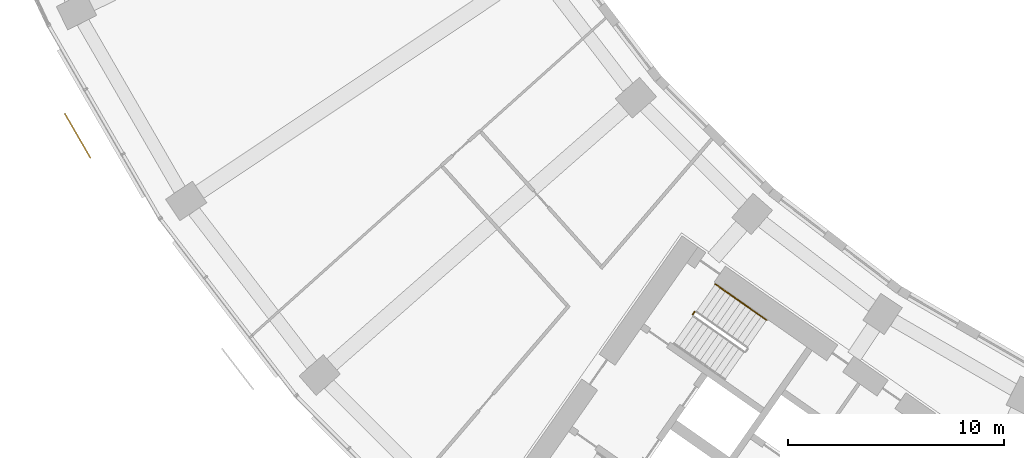
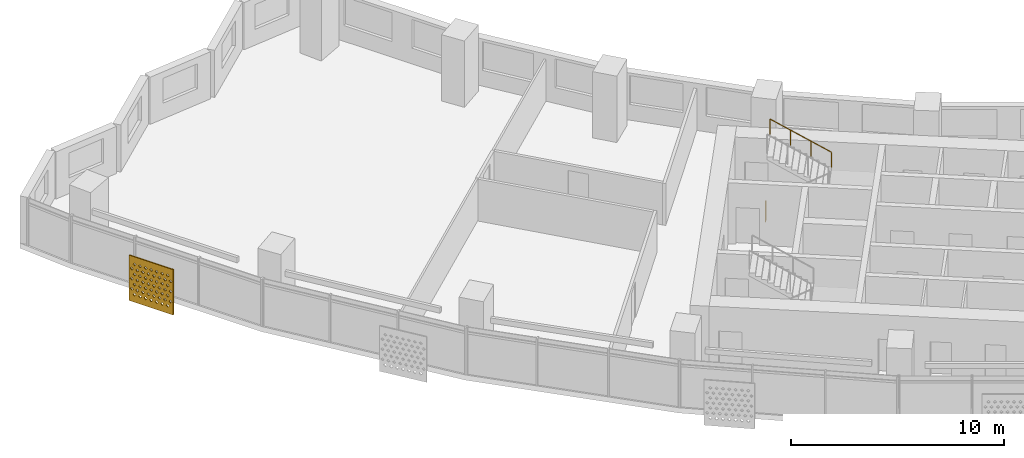
# One storey, part 25 of 29: 2 railings, 1 shading device.
"""IFC4 building model written with IfcOpenShell, lengths in metres."""

from ifc_helpers import new_model, si_unit, direction, frame, origin, origin_2d, place, context, subcontext, project, spatial, polyline, circle, outline, extrude, material, material_profile, profile_set, type_object, element, save


model = new_model("IFC4")

# Units and contexts
model_context = context("Model", 3, precision=1e-05, world=origin(), true_north=direction((0.0, 1.0)))
body_context = subcontext(model_context, "Body", "Model", "MODEL_VIEW")
ifc_project = project(units=[si_unit("LENGTHUNIT", "METRE"), si_unit("AREAUNIT", "SQUARE_METRE"), si_unit("VOLUMEUNIT", "CUBIC_METRE"), si_unit("PLANEANGLEUNIT", "RADIAN"), si_unit("MASSUNIT", "GRAM", prefix="KILO")], contexts=[model_context])

# Site, building, storey
site_placement = place(None, origin())
site = spatial("IfcSite", under=ifc_project, at=site_placement, CompositionType="ELEMENT")
building_placement = place(site_placement, origin())
building = spatial("IfcBuilding", under=site, at=building_placement, Name="Qamariyya Broadcast Tower", CompositionType="ELEMENT")
storey_placement = place(building_placement, frame((0.0, 0.0, 121.5)))
storey = spatial("IfcBuildingStorey", under=building, at=storey_placement, Name="L27", CompositionType="ELEMENT", Elevation=121.5)

# Shading device
ifc_material_1 = material(Name="Perforated glazed terracotta", Category="masonry")
ifc_material_profile = material_profile(ifc_material_1, outline(polyline([(-1.199951171875, -1.300048828125), (1.199951171875, -1.300048828125), (1.199951171875, 1.300048828125), (-1.199951171875, 1.300048828125), (-1.199951171875, -1.300048828125)]), holes=[polyline([(-0.81494140625, -0.86669921875), (-0.89990234375, -0.78173828125), (-0.985107421875, -0.86669921875), (-0.89990234375, -0.95166015625), (-0.81494140625, -0.86669921875)]), polyline([(-0.514892578125, -0.86669921875), (-0.60009765625, -0.78173828125), (-0.68505859375, -0.86669921875), (-0.60009765625, -0.95166015625), (-0.514892578125, -0.86669921875)]), polyline([(-0.215087890625, -0.86669921875), (-0.300048828125, -0.78173828125), (-0.385009765625, -0.86669921875), (-0.300048828125, -0.95166015625), (-0.215087890625, -0.86669921875)]), polyline([(0.0849609375, -0.86669921875), (0.0, -0.78173828125), (-0.0849609375, -0.86669921875), (0.0, -0.95166015625), (0.0849609375, -0.86669921875)]), polyline([(0.385009765625, -0.86669921875), (0.300048828125, -0.78173828125), (0.215087890625, -0.86669921875), (0.300048828125, -0.95166015625), (0.385009765625, -0.86669921875)]), polyline([(0.68505859375, -0.86669921875), (0.60009765625, -0.78173828125), (0.514892578125, -0.86669921875), (0.60009765625, -0.95166015625), (0.68505859375, -0.86669921875)]), polyline([(0.985107421875, -0.86669921875), (0.89990234375, -0.78173828125), (0.81494140625, -0.86669921875), (0.89990234375, -0.95166015625), (0.985107421875, -0.86669921875)]), polyline([(-0.965087890625, -0.577880859375), (-1.050048828125, -0.49267578125), (-1.135009765625, -0.577880859375), (-1.050048828125, -0.662841796875), (-0.965087890625, -0.577880859375)]), polyline([(-0.6650390625, -0.577880859375), (-0.75, -0.49267578125), (-0.8349609375, -0.577880859375), (-0.75, -0.662841796875), (-0.6650390625, -0.577880859375)]), polyline([(-0.364990234375, -0.577880859375), (-0.449951171875, -0.49267578125), (-0.534912109375, -0.577880859375), (-0.449951171875, -0.662841796875), (-0.364990234375, -0.577880859375)]), polyline([(-0.06494140625, -0.577880859375), (-0.14990234375, -0.49267578125), (-0.235107421875, -0.577880859375), (-0.14990234375, -0.662841796875), (-0.06494140625, -0.577880859375)]), polyline([(0.235107421875, -0.577880859375), (0.14990234375, -0.49267578125), (0.06494140625, -0.577880859375), (0.14990234375, -0.662841796875), (0.235107421875, -0.577880859375)]), polyline([(0.534912109375, -0.577880859375), (0.449951171875, -0.49267578125), (0.364990234375, -0.577880859375), (0.449951171875, -0.662841796875), (0.534912109375, -0.577880859375)]), polyline([(0.8349609375, -0.577880859375), (0.75, -0.49267578125), (0.6650390625, -0.577880859375), (0.75, -0.662841796875), (0.8349609375, -0.577880859375)]), polyline([(1.135009765625, -0.577880859375), (1.050048828125, -0.49267578125), (0.965087890625, -0.577880859375), (1.050048828125, -0.662841796875), (1.135009765625, -0.577880859375)]), polyline([(-0.81494140625, -0.288818359375), (-0.89990234375, -0.203857421875), (-0.985107421875, -0.288818359375), (-0.89990234375, -0.373779296875), (-0.81494140625, -0.288818359375)]), polyline([(-0.514892578125, -0.288818359375), (-0.60009765625, -0.203857421875), (-0.68505859375, -0.288818359375), (-0.60009765625, -0.373779296875), (-0.514892578125, -0.288818359375)]), polyline([(-0.215087890625, -0.288818359375), (-0.300048828125, -0.203857421875), (-0.385009765625, -0.288818359375), (-0.300048828125, -0.373779296875), (-0.215087890625, -0.288818359375)]), polyline([(0.0849609375, -0.288818359375), (0.0, -0.203857421875), (-0.0849609375, -0.288818359375), (0.0, -0.373779296875), (0.0849609375, -0.288818359375)]), polyline([(0.385009765625, -0.288818359375), (0.300048828125, -0.203857421875), (0.215087890625, -0.288818359375), (0.300048828125, -0.373779296875), (0.385009765625, -0.288818359375)]), polyline([(0.68505859375, -0.288818359375), (0.60009765625, -0.203857421875), (0.514892578125, -0.288818359375), (0.60009765625, -0.373779296875), (0.68505859375, -0.288818359375)]), polyline([(0.985107421875, -0.288818359375), (0.89990234375, -0.203857421875), (0.81494140625, -0.288818359375), (0.89990234375, -0.373779296875), (0.985107421875, -0.288818359375)]), polyline([(-0.965087890625, 0.0), (-1.050048828125, 0.0849609375), (-1.135009765625, 0.0), (-1.050048828125, -0.0849609375), (-0.965087890625, 0.0)]), polyline([(-0.6650390625, 0.0), (-0.75, 0.0849609375), (-0.8349609375, 0.0), (-0.75, -0.0849609375), (-0.6650390625, 0.0)]), polyline([(-0.364990234375, 0.0), (-0.449951171875, 0.0849609375), (-0.534912109375, 0.0), (-0.449951171875, -0.0849609375), (-0.364990234375, 0.0)]), polyline([(-0.06494140625, 0.0), (-0.14990234375, 0.0849609375), (-0.235107421875, 0.0), (-0.14990234375, -0.0849609375), (-0.06494140625, 0.0)]), polyline([(0.235107421875, 0.0), (0.14990234375, 0.0849609375), (0.06494140625, 0.0), (0.14990234375, -0.0849609375), (0.235107421875, 0.0)]), polyline([(0.534912109375, 0.0), (0.449951171875, 0.0849609375), (0.364990234375, 0.0), (0.449951171875, -0.0849609375), (0.534912109375, 0.0)]), polyline([(0.8349609375, 0.0), (0.75, 0.0849609375), (0.6650390625, 0.0), (0.75, -0.0849609375), (0.8349609375, 0.0)]), polyline([(1.135009765625, 0.0), (1.050048828125, 0.0849609375), (0.965087890625, 0.0), (1.050048828125, -0.0849609375), (1.135009765625, 0.0)]), polyline([(-0.81494140625, 0.288818359375), (-0.89990234375, 0.373779296875), (-0.985107421875, 0.288818359375), (-0.89990234375, 0.203857421875), (-0.81494140625, 0.288818359375)]), polyline([(-0.514892578125, 0.288818359375), (-0.60009765625, 0.373779296875), (-0.68505859375, 0.288818359375), (-0.60009765625, 0.203857421875), (-0.514892578125, 0.288818359375)]), polyline([(-0.215087890625, 0.288818359375), (-0.300048828125, 0.373779296875), (-0.385009765625, 0.288818359375), (-0.300048828125, 0.203857421875), (-0.215087890625, 0.288818359375)]), polyline([(0.0849609375, 0.288818359375), (0.0, 0.373779296875), (-0.0849609375, 0.288818359375), (0.0, 0.203857421875), (0.0849609375, 0.288818359375)]), polyline([(0.385009765625, 0.288818359375), (0.300048828125, 0.373779296875), (0.215087890625, 0.288818359375), (0.300048828125, 0.203857421875), (0.385009765625, 0.288818359375)]), polyline([(0.68505859375, 0.288818359375), (0.60009765625, 0.373779296875), (0.514892578125, 0.288818359375), (0.60009765625, 0.203857421875), (0.68505859375, 0.288818359375)]), polyline([(0.985107421875, 0.288818359375), (0.89990234375, 0.373779296875), (0.81494140625, 0.288818359375), (0.89990234375, 0.203857421875), (0.985107421875, 0.288818359375)]), polyline([(-0.965087890625, 0.577880859375), (-1.050048828125, 0.662841796875), (-1.135009765625, 0.577880859375), (-1.050048828125, 0.49267578125), (-0.965087890625, 0.577880859375)]), polyline([(-0.6650390625, 0.577880859375), (-0.75, 0.662841796875), (-0.8349609375, 0.577880859375), (-0.75, 0.49267578125), (-0.6650390625, 0.577880859375)]), polyline([(-0.364990234375, 0.577880859375), (-0.449951171875, 0.662841796875), (-0.534912109375, 0.577880859375), (-0.449951171875, 0.49267578125), (-0.364990234375, 0.577880859375)]), polyline([(-0.06494140625, 0.577880859375), (-0.14990234375, 0.662841796875), (-0.235107421875, 0.577880859375), (-0.14990234375, 0.49267578125), (-0.06494140625, 0.577880859375)]), polyline([(0.235107421875, 0.577880859375), (0.14990234375, 0.662841796875), (0.06494140625, 0.577880859375), (0.14990234375, 0.49267578125), (0.235107421875, 0.577880859375)]), polyline([(0.534912109375, 0.577880859375), (0.449951171875, 0.662841796875), (0.364990234375, 0.577880859375), (0.449951171875, 0.49267578125), (0.534912109375, 0.577880859375)]), polyline([(0.8349609375, 0.577880859375), (0.75, 0.662841796875), (0.6650390625, 0.577880859375), (0.75, 0.49267578125), (0.8349609375, 0.577880859375)]), polyline([(1.135009765625, 0.577880859375), (1.050048828125, 0.662841796875), (0.965087890625, 0.577880859375), (1.050048828125, 0.49267578125), (1.135009765625, 0.577880859375)]), polyline([(-0.81494140625, 0.86669921875), (-0.89990234375, 0.95166015625), (-0.985107421875, 0.86669921875), (-0.89990234375, 0.78173828125), (-0.81494140625, 0.86669921875)]), polyline([(-0.514892578125, 0.86669921875), (-0.60009765625, 0.95166015625), (-0.68505859375, 0.86669921875), (-0.60009765625, 0.78173828125), (-0.514892578125, 0.86669921875)]), polyline([(-0.215087890625, 0.86669921875), (-0.300048828125, 0.95166015625), (-0.385009765625, 0.86669921875), (-0.300048828125, 0.78173828125), (-0.215087890625, 0.86669921875)]), polyline([(0.0849609375, 0.86669921875), (0.0, 0.95166015625), (-0.0849609375, 0.86669921875), (0.0, 0.78173828125), (0.0849609375, 0.86669921875)]), polyline([(0.385009765625, 0.86669921875), (0.300048828125, 0.95166015625), (0.215087890625, 0.86669921875), (0.300048828125, 0.78173828125), (0.385009765625, 0.86669921875)]), polyline([(0.68505859375, 0.86669921875), (0.60009765625, 0.95166015625), (0.514892578125, 0.86669921875), (0.60009765625, 0.78173828125), (0.68505859375, 0.86669921875)]), polyline([(0.985107421875, 0.86669921875), (0.89990234375, 0.95166015625), (0.81494140625, 0.86669921875), (0.89990234375, 0.78173828125), (0.985107421875, 0.86669921875)])]))
ifc_profile_set = profile_set([ifc_material_profile], Name="Perforated glazed terracotta")
shading_device_type = type_object("IfcShadingDeviceType", Name="Perforated terracotta screen 2400 x 2600", PredefinedType="USERDEFINED", material=ifc_profile_set)
shading_device_placement = place(storey_placement, frame((-69.65185546875, -40.15966796875, 1.35009765625), z_axis=(-0.865982457891, -0.500074377092, 0.0), x_axis=(0.500074377092, -0.865982457891, 0.0)))
element("IfcShadingDevice", 1, at=shading_device_placement, inside=storey, type_object=shading_device_type, Name="e-scr-L27-01-1", ObjectType="SCREEN", PredefinedType="USERDEFINED", context=body_context, shape_type="SweptSolid", body=[
    extrude(outline(polyline([(-1.199951171875, -1.300048828125), (1.199951171875, -1.300048828125), (1.199951171875, 1.300048828125), (-1.199951171875, 1.300048828125), (-1.199951171875, -1.300048828125)]), holes=[polyline([(-0.81494140625, -0.86669921875), (-0.89990234375, -0.78173828125), (-0.985107421875, -0.86669921875), (-0.89990234375, -0.95166015625), (-0.81494140625, -0.86669921875)]), polyline([(-0.514892578125, -0.86669921875), (-0.60009765625, -0.78173828125), (-0.68505859375, -0.86669921875), (-0.60009765625, -0.95166015625), (-0.514892578125, -0.86669921875)]), polyline([(-0.215087890625, -0.86669921875), (-0.300048828125, -0.78173828125), (-0.385009765625, -0.86669921875), (-0.300048828125, -0.95166015625), (-0.215087890625, -0.86669921875)]), polyline([(0.0849609375, -0.86669921875), (0.0, -0.78173828125), (-0.0849609375, -0.86669921875), (0.0, -0.95166015625), (0.0849609375, -0.86669921875)]), polyline([(0.385009765625, -0.86669921875), (0.300048828125, -0.78173828125), (0.215087890625, -0.86669921875), (0.300048828125, -0.95166015625), (0.385009765625, -0.86669921875)]), polyline([(0.68505859375, -0.86669921875), (0.60009765625, -0.78173828125), (0.514892578125, -0.86669921875), (0.60009765625, -0.95166015625), (0.68505859375, -0.86669921875)]), polyline([(0.985107421875, -0.86669921875), (0.89990234375, -0.78173828125), (0.81494140625, -0.86669921875), (0.89990234375, -0.95166015625), (0.985107421875, -0.86669921875)]), polyline([(-0.965087890625, -0.577880859375), (-1.050048828125, -0.49267578125), (-1.135009765625, -0.577880859375), (-1.050048828125, -0.662841796875), (-0.965087890625, -0.577880859375)]), polyline([(-0.6650390625, -0.577880859375), (-0.75, -0.49267578125), (-0.8349609375, -0.577880859375), (-0.75, -0.662841796875), (-0.6650390625, -0.577880859375)]), polyline([(-0.364990234375, -0.577880859375), (-0.449951171875, -0.49267578125), (-0.534912109375, -0.577880859375), (-0.449951171875, -0.662841796875), (-0.364990234375, -0.577880859375)]), polyline([(-0.06494140625, -0.577880859375), (-0.14990234375, -0.49267578125), (-0.235107421875, -0.577880859375), (-0.14990234375, -0.662841796875), (-0.06494140625, -0.577880859375)]), polyline([(0.235107421875, -0.577880859375), (0.14990234375, -0.49267578125), (0.06494140625, -0.577880859375), (0.14990234375, -0.662841796875), (0.235107421875, -0.577880859375)]), polyline([(0.534912109375, -0.577880859375), (0.449951171875, -0.49267578125), (0.364990234375, -0.577880859375), (0.449951171875, -0.662841796875), (0.534912109375, -0.577880859375)]), polyline([(0.8349609375, -0.577880859375), (0.75, -0.49267578125), (0.6650390625, -0.577880859375), (0.75, -0.662841796875), (0.8349609375, -0.577880859375)]), polyline([(1.135009765625, -0.577880859375), (1.050048828125, -0.49267578125), (0.965087890625, -0.577880859375), (1.050048828125, -0.662841796875), (1.135009765625, -0.577880859375)]), polyline([(-0.81494140625, -0.288818359375), (-0.89990234375, -0.203857421875), (-0.985107421875, -0.288818359375), (-0.89990234375, -0.373779296875), (-0.81494140625, -0.288818359375)]), polyline([(-0.514892578125, -0.288818359375), (-0.60009765625, -0.203857421875), (-0.68505859375, -0.288818359375), (-0.60009765625, -0.373779296875), (-0.514892578125, -0.288818359375)]), polyline([(-0.215087890625, -0.288818359375), (-0.300048828125, -0.203857421875), (-0.385009765625, -0.288818359375), (-0.300048828125, -0.373779296875), (-0.215087890625, -0.288818359375)]), polyline([(0.0849609375, -0.288818359375), (0.0, -0.203857421875), (-0.0849609375, -0.288818359375), (0.0, -0.373779296875), (0.0849609375, -0.288818359375)]), polyline([(0.385009765625, -0.288818359375), (0.300048828125, -0.203857421875), (0.215087890625, -0.288818359375), (0.300048828125, -0.373779296875), (0.385009765625, -0.288818359375)]), polyline([(0.68505859375, -0.288818359375), (0.60009765625, -0.203857421875), (0.514892578125, -0.288818359375), (0.60009765625, -0.373779296875), (0.68505859375, -0.288818359375)]), polyline([(0.985107421875, -0.288818359375), (0.89990234375, -0.203857421875), (0.81494140625, -0.288818359375), (0.89990234375, -0.373779296875), (0.985107421875, -0.288818359375)]), polyline([(-0.965087890625, 0.0), (-1.050048828125, 0.0849609375), (-1.135009765625, 0.0), (-1.050048828125, -0.0849609375), (-0.965087890625, 0.0)]), polyline([(-0.6650390625, 0.0), (-0.75, 0.0849609375), (-0.8349609375, 0.0), (-0.75, -0.0849609375), (-0.6650390625, 0.0)]), polyline([(-0.364990234375, 0.0), (-0.449951171875, 0.0849609375), (-0.534912109375, 0.0), (-0.449951171875, -0.0849609375), (-0.364990234375, 0.0)]), polyline([(-0.06494140625, 0.0), (-0.14990234375, 0.0849609375), (-0.235107421875, 0.0), (-0.14990234375, -0.0849609375), (-0.06494140625, 0.0)]), polyline([(0.235107421875, 0.0), (0.14990234375, 0.0849609375), (0.06494140625, 0.0), (0.14990234375, -0.0849609375), (0.235107421875, 0.0)]), polyline([(0.534912109375, 0.0), (0.449951171875, 0.0849609375), (0.364990234375, 0.0), (0.449951171875, -0.0849609375), (0.534912109375, 0.0)]), polyline([(0.8349609375, 0.0), (0.75, 0.0849609375), (0.6650390625, 0.0), (0.75, -0.0849609375), (0.8349609375, 0.0)]), polyline([(1.135009765625, 0.0), (1.050048828125, 0.0849609375), (0.965087890625, 0.0), (1.050048828125, -0.0849609375), (1.135009765625, 0.0)]), polyline([(-0.81494140625, 0.288818359375), (-0.89990234375, 0.373779296875), (-0.985107421875, 0.288818359375), (-0.89990234375, 0.203857421875), (-0.81494140625, 0.288818359375)]), polyline([(-0.514892578125, 0.288818359375), (-0.60009765625, 0.373779296875), (-0.68505859375, 0.288818359375), (-0.60009765625, 0.203857421875), (-0.514892578125, 0.288818359375)]), polyline([(-0.215087890625, 0.288818359375), (-0.300048828125, 0.373779296875), (-0.385009765625, 0.288818359375), (-0.300048828125, 0.203857421875), (-0.215087890625, 0.288818359375)]), polyline([(0.0849609375, 0.288818359375), (0.0, 0.373779296875), (-0.0849609375, 0.288818359375), (0.0, 0.203857421875), (0.0849609375, 0.288818359375)]), polyline([(0.385009765625, 0.288818359375), (0.300048828125, 0.373779296875), (0.215087890625, 0.288818359375), (0.300048828125, 0.203857421875), (0.385009765625, 0.288818359375)]), polyline([(0.68505859375, 0.288818359375), (0.60009765625, 0.373779296875), (0.514892578125, 0.288818359375), (0.60009765625, 0.203857421875), (0.68505859375, 0.288818359375)]), polyline([(0.985107421875, 0.288818359375), (0.89990234375, 0.373779296875), (0.81494140625, 0.288818359375), (0.89990234375, 0.203857421875), (0.985107421875, 0.288818359375)]), polyline([(-0.965087890625, 0.577880859375), (-1.050048828125, 0.662841796875), (-1.135009765625, 0.577880859375), (-1.050048828125, 0.49267578125), (-0.965087890625, 0.577880859375)]), polyline([(-0.6650390625, 0.577880859375), (-0.75, 0.662841796875), (-0.8349609375, 0.577880859375), (-0.75, 0.49267578125), (-0.6650390625, 0.577880859375)]), polyline([(-0.364990234375, 0.577880859375), (-0.449951171875, 0.662841796875), (-0.534912109375, 0.577880859375), (-0.449951171875, 0.49267578125), (-0.364990234375, 0.577880859375)]), polyline([(-0.06494140625, 0.577880859375), (-0.14990234375, 0.662841796875), (-0.235107421875, 0.577880859375), (-0.14990234375, 0.49267578125), (-0.06494140625, 0.577880859375)]), polyline([(0.235107421875, 0.577880859375), (0.14990234375, 0.662841796875), (0.06494140625, 0.577880859375), (0.14990234375, 0.49267578125), (0.235107421875, 0.577880859375)]), polyline([(0.534912109375, 0.577880859375), (0.449951171875, 0.662841796875), (0.364990234375, 0.577880859375), (0.449951171875, 0.49267578125), (0.534912109375, 0.577880859375)]), polyline([(0.8349609375, 0.577880859375), (0.75, 0.662841796875), (0.6650390625, 0.577880859375), (0.75, 0.49267578125), (0.8349609375, 0.577880859375)]), polyline([(1.135009765625, 0.577880859375), (1.050048828125, 0.662841796875), (0.965087890625, 0.577880859375), (1.050048828125, 0.49267578125), (1.135009765625, 0.577880859375)]), polyline([(-0.81494140625, 0.86669921875), (-0.89990234375, 0.95166015625), (-0.985107421875, 0.86669921875), (-0.89990234375, 0.78173828125), (-0.81494140625, 0.86669921875)]), polyline([(-0.514892578125, 0.86669921875), (-0.60009765625, 0.95166015625), (-0.68505859375, 0.86669921875), (-0.60009765625, 0.78173828125), (-0.514892578125, 0.86669921875)]), polyline([(-0.215087890625, 0.86669921875), (-0.300048828125, 0.95166015625), (-0.385009765625, 0.86669921875), (-0.300048828125, 0.78173828125), (-0.215087890625, 0.86669921875)]), polyline([(0.0849609375, 0.86669921875), (0.0, 0.95166015625), (-0.0849609375, 0.86669921875), (0.0, 0.78173828125), (0.0849609375, 0.86669921875)]), polyline([(0.385009765625, 0.86669921875), (0.300048828125, 0.95166015625), (0.215087890625, 0.86669921875), (0.300048828125, 0.78173828125), (0.385009765625, 0.86669921875)]), polyline([(0.68505859375, 0.86669921875), (0.60009765625, 0.95166015625), (0.514892578125, 0.86669921875), (0.60009765625, 0.78173828125), (0.68505859375, 0.86669921875)]), polyline([(0.985107421875, 0.86669921875), (0.89990234375, 0.95166015625), (0.81494140625, 0.86669921875), (0.89990234375, 0.78173828125), (0.985107421875, 0.86669921875)])]), origin(), (0.0, 0.0, 1.0), 0.06005859375),
])

# Railings
ifc_material_2 = material(Name="Painted steel", Category="steel")
railing_type_1 = type_object("IfcRailingType", Name="Stair guard", PredefinedType="GUARDRAIL", material=ifc_material_2)
railing_1_placement = place(storey_placement, frame((-41.158935546875, -48.455322265625, 0.0)))
element("IfcRailing", 2, at=railing_1_placement, inside=storey, type_object=railing_type_1, Name="L27 ST-W2 stair guard 3", PredefinedType="GUARDRAIL", context=body_context, shape_type="SweptSolid", body=[
    extrude(circle(Radius=0.02392578125, at=origin_2d()), frame((0.0, 0.0, 1.076171875), z_axis=(0.572588637393, 0.819842821722, 0.0), x_axis=(-0.819842821722, 0.572588637393, 0.0)), (0.0, 0.0, 1.0), 0.150146484375),
    extrude(circle(Radius=0.02099609375, at=origin_2d()), origin(), (0.0, 0.0, 1.0), 1.052001953125),
    extrude(circle(Radius=0.02099609375, at=origin_2d()), frame((0.0859375, 0.123046875, 0.0)), (0.0, 0.0, 1.0), 1.052001953125),
])
ifc_material_3 = material(Name="Stainless steel", Category="steel")
railing_type_2 = type_object("IfcRailingType", Name="Stair handrail", PredefinedType="HANDRAIL", material=ifc_material_3)
railing_2_placement = place(storey_placement, frame((-37.73876953125, -48.7138671875, 2.07275390625)))
element("IfcRailing", 3, at=railing_2_placement, inside=storey, type_object=railing_type_2, Name="L27 ST-W2 stair handrail 2", PredefinedType="HANDRAIL", context=body_context, shape_type="SweptSolid", body=[
    extrude(circle(Radius=0.02392578125, at=origin_2d()), frame((0.0, 0.0, 0.8759765625), z_axis=(-0.703745009021, 0.492838488332, 0.511715923826), x_axis=(-0.573631830683, -0.819113253969, 0.0)), (0.0, 0.0, 1.0), 3.37548828125),
    extrude(circle(Radius=0.02099609375, at=origin_2d()), origin(), (0.0, 0.0, 1.0), 0.851806640625),
    extrude(circle(Radius=0.02099609375, at=origin_2d()), frame((-0.791748046875, 0.554443359375, 0.57568359375)), (0.0, 0.0, 1.0), 0.851806640625),
    extrude(circle(Radius=0.02099609375, at=origin_2d()), frame((-1.583740234375, 1.109130859375, 1.151611328125)), (0.0, 0.0, 1.0), 0.851806640625),
    extrude(circle(Radius=0.02099609375, at=origin_2d()), frame((-2.37548828125, 1.66357421875, 1.727294921875)), (0.0, 0.0, 1.0), 0.851806640625),
])

save(model, "model.ifc")
